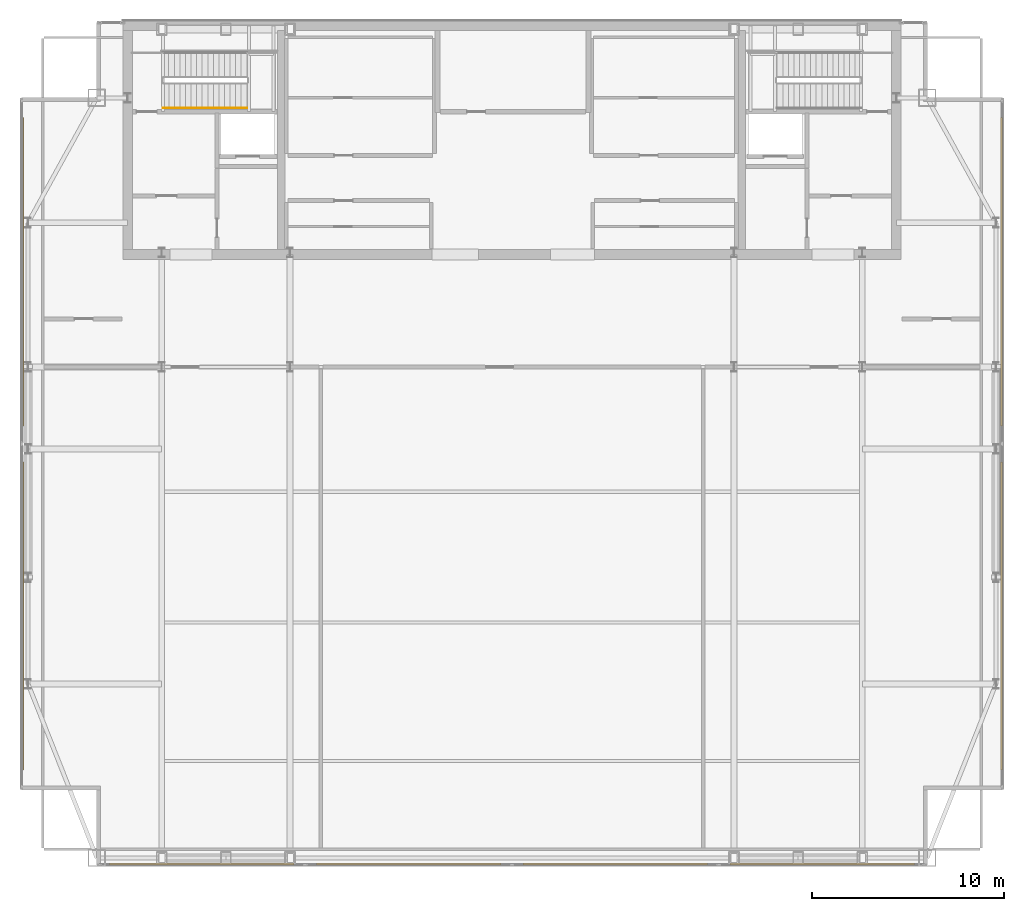
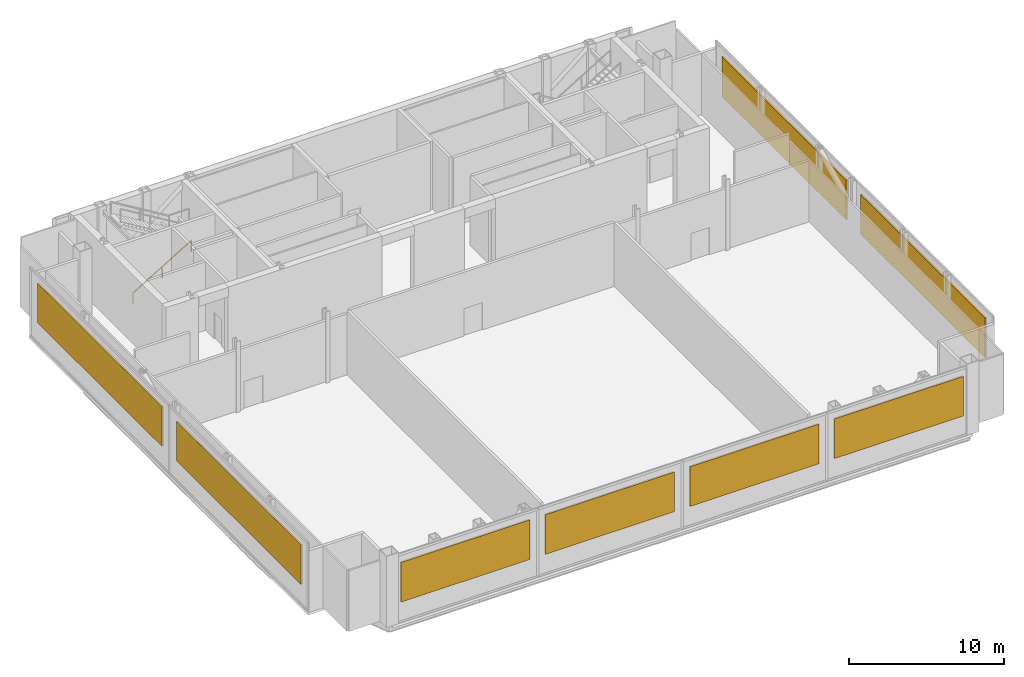
# One storey, part 21 of 22: 8 shading devices, 1 railing.
"""IFC4 building model written with IfcOpenShell, lengths in metres."""

from ifc_helpers import new_model, si_unit, direction, frame, origin, origin_2d, place, context, subcontext, project, spatial, rectangle, extrude, material, layer, layer_set, type_object, element, save


model = new_model("IFC4")

# Units and contexts
model_context = context("Model", 3, precision=1e-05, world=origin(), true_north=direction((0.0, 1.0)))
body_context = subcontext(model_context, "Body", "Model", "MODEL_VIEW")
ifc_project = project(units=[si_unit("LENGTHUNIT", "METRE"), si_unit("AREAUNIT", "SQUARE_METRE"), si_unit("VOLUMEUNIT", "CUBIC_METRE"), si_unit("PLANEANGLEUNIT", "RADIAN"), si_unit("MASSUNIT", "GRAM", prefix="KILO")], contexts=[model_context])

# Site, building, storey
site_placement = place(None, origin())
site = spatial("IfcSite", under=ifc_project, at=site_placement, CompositionType="ELEMENT")
building_placement = place(site_placement, origin())
building = spatial("IfcBuilding", under=site, at=building_placement, Name="Khoronbel Lancet Exchange", CompositionType="ELEMENT")
storey_placement = place(building_placement, frame((0.0, 0.0, 373.0)))
storey = spatial("IfcBuildingStorey", under=building, at=storey_placement, Name="L95", CompositionType="ELEMENT", Elevation=373.0)

# Railing
ifc_material_1 = material(Name="Brushed Stainless Steel 316", Category="steel")
railing_type = type_object("IfcRailingType", Name="RL-STH92", PredefinedType="HANDRAIL", material=ifc_material_1)
railing_placement = place(storey_placement, frame((18.300048828125, 49.169921875, 0.175048828125)))
element("IfcRailing", 1, at=railing_placement, inside=storey, type_object=railing_type, Name="L95 ST1 stair handrail 1", PredefinedType="HANDRAIL", context=body_context, shape_type="SweptSolid", body=[
    extrude(rectangle(XDim=0.048095703125, YDim=0.048095703125, at=origin_2d()), frame((0.0, 0.0, 0.8759765625), z_axis=(0.856179964356, 0.0, 0.516677722218), x_axis=(0.0, 1.0, 0.0)), (0.0, 0.0, 1.0), 5.08056640625),
    extrude(rectangle(XDim=0.0419921875, YDim=0.0419921875, at=origin_2d()), origin(), (0.0, 0.0, 1.0), 0.851806640625),
    extrude(rectangle(XDim=0.0419921875, YDim=0.0419921875, at=origin_2d()), frame((2.1748046875, 0.0, 1.3125)), (0.0, 0.0, 1.0), 0.851806640625),
    extrude(rectangle(XDim=0.0419921875, YDim=0.0419921875, at=origin_2d()), frame((4.349853515625, 0.0, 2.625)), (0.0, 0.0, 1.0), 0.851806640625),
])

# Shading devices
ifc_material_2 = material(Name="Bronze-Anodised Aluminium 6063-T6", Category="aluminium")
ifc_layer = layer(ifc_material_2, 0.159912109375, Name="Bronze-Anodised Aluminium 6063-T6")
ifc_layer_set = layer_set([ifc_layer], Name="Bronze-Anodised Aluminium 6063-T6")
shading_device_type = type_object("IfcShadingDeviceType", Name="SHD-LVR2", PredefinedType="JALOUSIE", material=ifc_layer_set)
for number, where, z_axis, x_axis, name in (
    (2, (10.97998046875, 22.7451171875, 1.57763671875), (0.0, 0.0, 1.0), (0.0, 1.0, 0.0), "Sand-trap bronze acoustic louvre CW-L95-E03-1"),
    (3, (10.97998046875, 40.655029296875, 1.57763671875), (0.0, 0.0, 1.0), (0.0, 1.0, 0.0), "Sand-trap bronze acoustic louvre CW-L95-E03-2"),
    (4, (61.919921875, 40.655029296875, 1.57763671875), (0.0, 0.0, 1.0), (0.0, -1.0, 0.0), "Sand-trap bronze acoustic louvre CW-L95-E09-1"),
    (5, (61.919921875, 22.7451171875, 1.57763671875), (0.0, 0.0, 1.0), (0.0, -1.0, 0.0), "Sand-trap bronze acoustic louvre CW-L95-E09-2"),
):
    element("IfcShadingDevice", number, at=place(storey_placement, frame(where, z_axis=z_axis, x_axis=x_axis)), inside=storey, type_object=shading_device_type, Name=name, PredefinedType="JALOUSIE", context=body_context, shape_type="SweptSolid", body=[
        extrude(rectangle(XDim=16.0380859375, YDim=0.1201171875, at=origin_2d()), origin(), (0.0, 0.0, 1.0), 3.124755859375),
    ])
for number, where, z_axis, x_axis, name in (
    (6, (52.58251953125, 9.830078125, 1.57763671875), (0.0, 0.0, 1.0), (-1.0, 0.0, 0.0), "Sand-trap bronze acoustic louvre CW-L95-E12-1"),
    (7, (41.827392578125, 9.830078125, 1.57763671875), (0.0, 0.0, 1.0), (-1.0, 0.0, 0.0), "Sand-trap bronze acoustic louvre CW-L95-E12-2"),
    (8, (31.072509765625, 9.830078125, 1.57763671875), (0.0, 0.0, 1.0), (-1.0, 0.0, 0.0), "Sand-trap bronze acoustic louvre CW-L95-E12-3"),
    (9, (20.3173828125, 9.830078125, 1.57763671875), (0.0, 0.0, 1.0), (-1.0, 0.0, 0.0), "Sand-trap bronze acoustic louvre CW-L95-E12-4"),
):
    element("IfcShadingDevice", number, at=place(storey_placement, frame(where, z_axis=z_axis, x_axis=x_axis)), inside=storey, type_object=shading_device_type, Name=name, PredefinedType="JALOUSIE", context=body_context, shape_type="SweptSolid", body=[
        extrude(rectangle(XDim=9.598388671875, YDim=0.1201171875, at=origin_2d()), origin(), (0.0, 0.0, 1.0), 3.124755859375),
    ])

save(model, "model.ifc")
